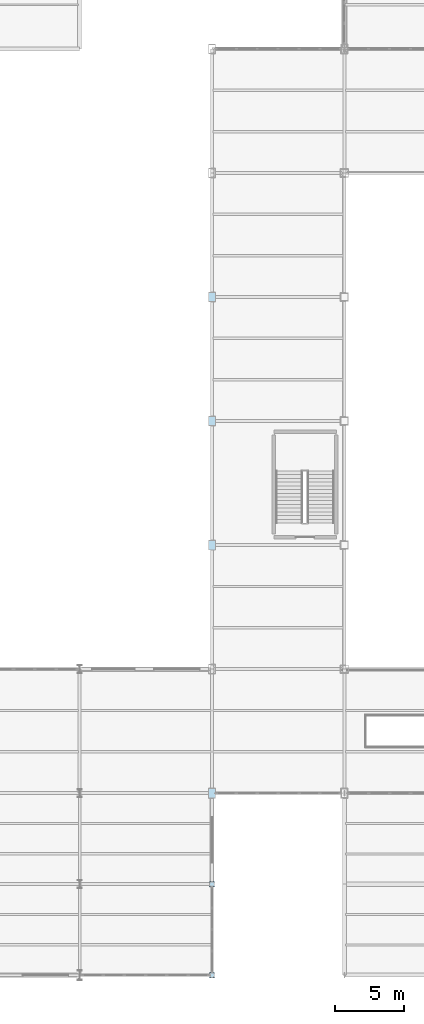
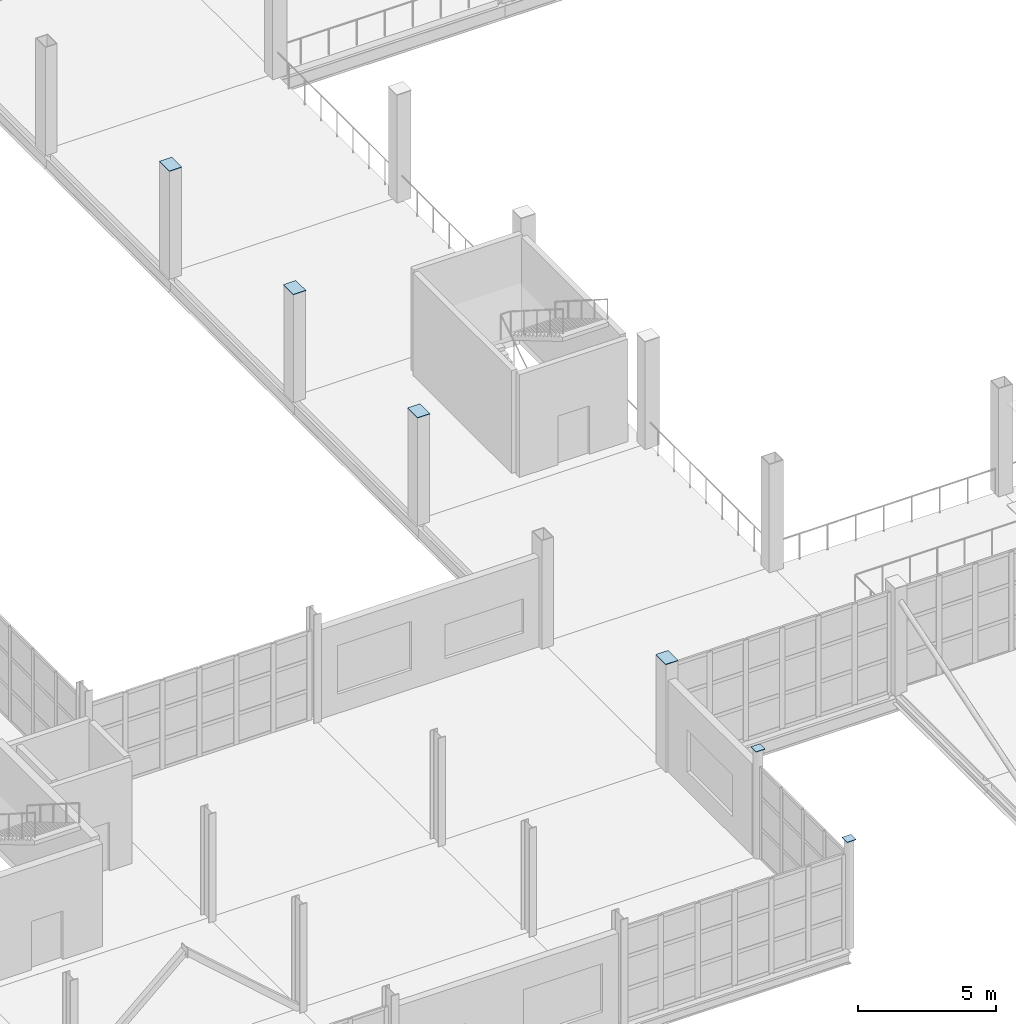
# One storey, part 97 of 120: 6 plates.
"""IFC4 building model written with IfcOpenShell, lengths in metres."""

from ifc_helpers import new_model, si_unit, direction, frame, origin, origin_2d, place, context, subcontext, project, spatial, rectangle, extrude, material, layer, layer_set, type_object, element, save


model = new_model("IFC4")

# Units and contexts
model_context = context("Model", 3, precision=1e-05, world=origin(), true_north=direction((0.0, 1.0)))
body_context = subcontext(model_context, "Body", "Model", "MODEL_VIEW")
ifc_project = project(units=[si_unit("LENGTHUNIT", "METRE"), si_unit("AREAUNIT", "SQUARE_METRE"), si_unit("VOLUMEUNIT", "CUBIC_METRE"), si_unit("PLANEANGLEUNIT", "RADIAN"), si_unit("MASSUNIT", "GRAM", prefix="KILO")], contexts=[model_context])

# Site, building, storey
site_placement = place(None, origin())
site = spatial("IfcSite", under=ifc_project, at=site_placement, CompositionType="ELEMENT")
building_placement = place(site_placement, origin())
building = spatial("IfcBuilding", under=site, at=building_placement, Name="Zarnetskaya Central Station", CompositionType="ELEMENT")
storey_placement = place(building_placement, frame((0.0, 0.0, 5.39990234375)))
storey = spatial("IfcBuildingStorey", under=building, at=storey_placement, Name="L01", CompositionType="ELEMENT", Elevation=5.39990234375)

# Plates
ifc_material = material(Name="Steel S355", Category="steel")
ifc_layer = layer(ifc_material, 0.02392578125, Name="Steel S355", Category="steel")
ifc_layer_set = layer_set([ifc_layer], Name="Steel S355")
plate_type = type_object("IfcPlateType", Name="PL-COL-CAP-EXT", PredefinedType="USERDEFINED", material=ifc_layer_set)
for number, where, z_axis, x_axis, name in (
    (1, (57.60009765625, 0.0, 4.776123046875), (0.0, 0.0, 1.0), (1.0, 0.0, 0.0), "Hollow column sealed end-cap plate 37"),
    (2, (57.60009765625, 6.60009765625, 4.776123046875), (0.0, 0.0, 1.0), (1.0, 0.0, 0.0), "Hollow column sealed end-cap plate 38"),
):
    element("IfcPlate", number, at=place(storey_placement, frame(where, z_axis=z_axis, x_axis=x_axis)), inside=storey, type_object=plate_type, Name=name, ObjectType="END CAP PLATE", PredefinedType="USERDEFINED", context=body_context, shape_type="SweptSolid", body=[
        extrude(rectangle(XDim=0.37548828125, YDim=0.37548828125, at=origin_2d()), origin(), (0.0, 0.0, 1.0), 0.02392578125),
    ])
for number, where, z_axis, x_axis, name in (
    (3, (57.60009765625, 13.199951171875, 4.776123046875), (0.0, 0.0, 1.0), (1.0, 0.0, 0.0), "Hollow column sealed end-cap plate 39"),
    (4, (57.60009765625, 31.199951171875, 4.776123046875), (0.0, 0.0, 1.0), (1.0, 0.0, 0.0), "Hollow column sealed end-cap plate 41"),
    (5, (57.60009765625, 40.199951171875, 4.776123046875), (0.0, 0.0, 1.0), (1.0, 0.0, 0.0), "Hollow column sealed end-cap plate 42"),
    (6, (57.60009765625, 49.199951171875, 4.776123046875), (0.0, 0.0, 1.0), (1.0, 0.0, 0.0), "Hollow column sealed end-cap plate 43"),
):
    element("IfcPlate", number, at=place(storey_placement, frame(where, z_axis=z_axis, x_axis=x_axis)), inside=storey, type_object=plate_type, Name=name, ObjectType="END CAP PLATE", PredefinedType="USERDEFINED", context=body_context, shape_type="SweptSolid", body=[
        extrude(rectangle(XDim=0.52001953125, YDim=0.719970703125, at=origin_2d()), origin(), (0.0, 0.0, 1.0), 0.02392578125),
    ])

save(model, "model.ifc")
